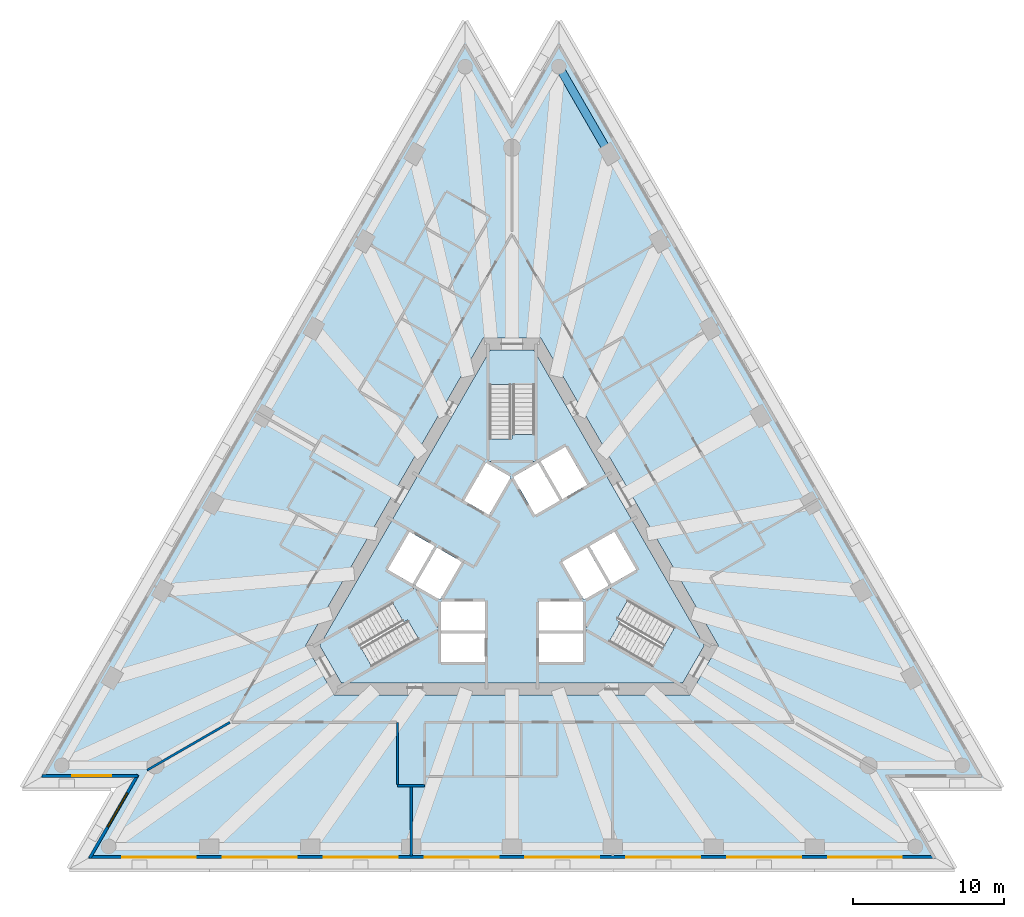
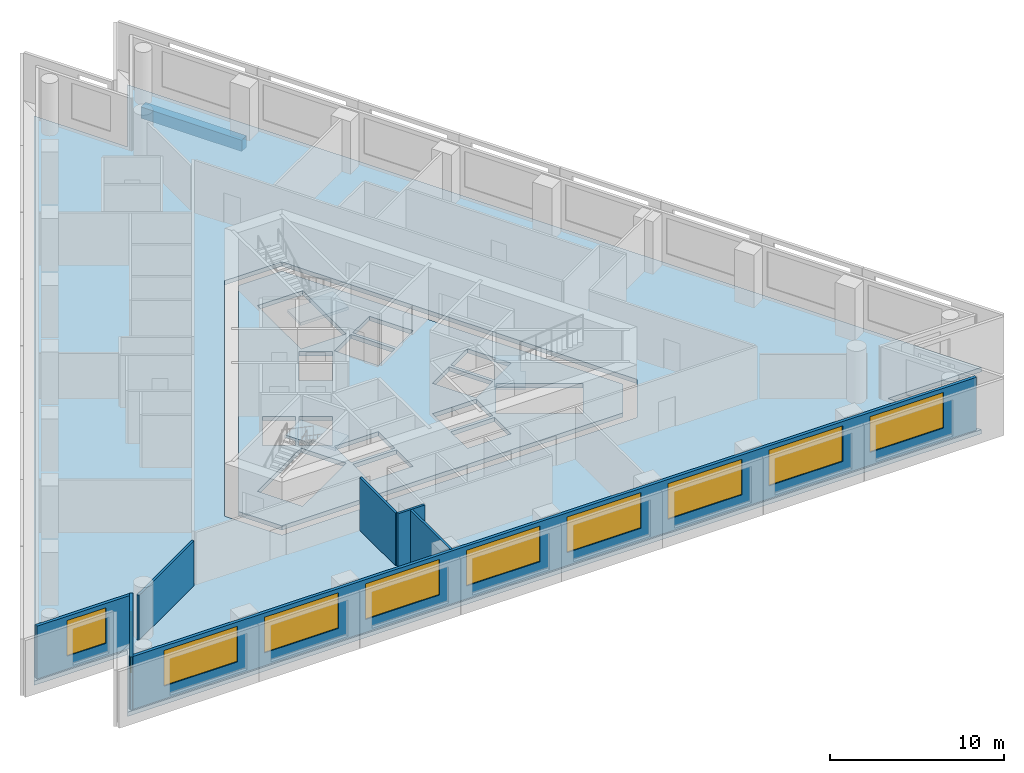
# One storey, part 2 of 9: 10 windows, 7 walls, 5 slabs, 1 beam, 10 openings, 3 elements without a shape of their own.
"""IFC4 building model written with IfcOpenShell, lengths in metres."""

from ifc_helpers import new_model, si_unit, direction, frame, frame_2d, origin, origin_2d, place, context, subcontext, project, spatial, polyline, rectangle, outline, extrude, material, layer, layer_set, layer_usage, material_profile, profile_set, type_object, element, fill, aggregate, save


model = new_model("IFC4")

# Units and contexts
model_context = context("Model", 3, precision=1e-05, world=origin(), true_north=direction((0.0, 1.0)))
body_context = subcontext(model_context, "Body", "Model", "MODEL_VIEW")
ifc_project = project(units=[si_unit("LENGTHUNIT", "METRE"), si_unit("AREAUNIT", "SQUARE_METRE"), si_unit("VOLUMEUNIT", "CUBIC_METRE"), si_unit("PLANEANGLEUNIT", "RADIAN"), si_unit("MASSUNIT", "GRAM", prefix="KILO")], contexts=[model_context])

# Site, building, storey
site_placement = place(None, origin())
site = spatial("IfcSite", under=ifc_project, at=site_placement, CompositionType="ELEMENT")
building_placement = place(site_placement, origin())
building = spatial("IfcBuilding", under=site, at=building_placement, Name="Triada Interchange Tower", CompositionType="ELEMENT")
storey_placement = place(building_placement, frame((0.0, 0.0, 144.300048828125)))
storey = spatial("IfcBuildingStorey", under=building, at=storey_placement, Name="L33", CompositionType="ELEMENT", Elevation=144.300048828125)

# Beam
ifc_material_1 = material(Name="Concrete C50/60", Category="concrete")
ifc_material_profile = material_profile(ifc_material_1, rectangle(XDim=0.550048828125, YDim=0.800048828125, at=origin_2d()), Name="RC 550x800")
ifc_profile_set = profile_set([ifc_material_profile], Name="Concrete C50/60")
beam_type = type_object("IfcBeamType", Name="Spandrel beam B RC 550x800", PredefinedType="BEAM", material=ifc_profile_set)
beam_placement = place(storey_placement, frame((6.452880859375, 26.89990234375, -0.699951171875), z_axis=(-0.499965681329, 0.866045216772, 0.0), x_axis=(-0.866045216772, -0.499965681329, 0.0)))
element("IfcBeam", 1, at=beam_placement, inside=storey, type_object=beam_type, Name="Spandrel beam EB28 L33", PredefinedType="BEAM", context=body_context, shape_type="SweptSolid", body=[
    extrude(rectangle(XDim=0.550048828125, YDim=0.800048828125, at=origin_2d()), origin(), (0.0, 0.0, 1.0), 6.6904296875),
])

# Slabs
ifc_layer_1 = layer(ifc_material_1, 0.300048828125)
ifc_layer_set_1 = layer_set([ifc_layer_1], Name="Floor slab 300")
slab_type_1 = type_object("IfcSlabType", Name="Floor slab 300", PredefinedType="FLOOR", material=ifc_layer_set_1)
slab_1_placement = place(storey_placement, frame((0.0, 0.0, -0.300048828125)))
element("IfcSlab", 2, at=slab_1_placement, inside=storey, type_object=slab_type_1, Name="Floor slab L33", PredefinedType="FLOOR", context=body_context, shape_type="SweptSolid", body=[
    extrude(outline(polyline([(-3.10791015625, 34.493896484375), (-31.427001953125, -14.554931640625), (-25.2109375, -14.554931640625), (-28.319091796875, -19.93896484375), (28.319091796875, -19.93896484375), (25.2109375, -14.554931640625), (31.427001953125, -14.554931640625), (3.10791015625, 34.493896484375), (0.0, 29.111083984375), (-3.10791015625, 34.493896484375)]), holes=[polyline([(1.905029296875, 14.699951171875), (-1.905029296875, 14.699951171875), (-13.68310546875, -5.699951171875), (-11.778076171875, -9.0), (11.778076171875, -9.0), (13.68310546875, -5.699951171875), (1.905029296875, 14.699951171875)])]), origin(), (0.0, 0.0, 1.0), 0.300048828125),
])
slab_2_placement = place(storey_placement, frame((0.0, 0.0, -0.300048828125)))
element("IfcSlab", 3, at=slab_2_placement, inside=storey, type_object=slab_type_1, Name="Core floor slab L33 1", PredefinedType="FLOOR", context=body_context, shape_type="SweptSolid", body=[
    extrude(outline(polyline([(12.759033203125, -5.699951171875), (11.31591796875, -8.199951171875), (-11.31591796875, -8.199951171875), (-12.759033203125, -5.699951171875), (-1.443115234375, 13.89990234375), (1.443115234375, 13.89990234375), (12.759033203125, -5.699951171875)]), holes=[polyline([(9.2958984375, -7.09912109375), (10.7958984375, -4.5009765625), (6.466064453125, -2.0009765625), (4.966064453125, -4.59912109375), (9.2958984375, -7.09912109375)]), polyline([(6.7890625, 1.841064453125), (5.14404296875, 0.89111328125), (6.593994140625, -1.6201171875), (8.239013671875, -0.669921875), (6.7890625, 1.841064453125)]), polyline([(4.77490234375, -2.669921875), (6.419921875, -1.719970703125), (4.969970703125, 0.791015625), (3.9150390625, 0.181884765625), (3.324951171875, -0.158935546875), (4.77490234375, -2.669921875)]), polyline([(1.89404296875, 6.52001953125), (3.343994140625, 4.009033203125), (4.989013671875, 4.958984375), (3.5390625, 7.469970703125), (1.89404296875, 6.52001953125)]), polyline([(4.699951171875, -6.800048828125), (4.699951171875, -4.89990234375), (1.800048828125, -4.89990234375), (1.800048828125, -6.800048828125), (4.699951171875, -6.800048828125)]), polyline([(4.699951171875, -2.800048828125), (1.800048828125, -2.800048828125), (1.800048828125, -4.699951171875), (4.699951171875, -4.699951171875), (4.699951171875, -2.800048828125)]), polyline([(0.074951171875, 5.469970703125), (1.52490234375, 2.958984375), (3.169921875, 3.908935546875), (1.719970703125, 6.419921875), (0.074951171875, 5.469970703125)]), polyline([(1.5, 11.60009765625), (-1.5, 11.60009765625), (-1.5, 6.60009765625), (1.5, 6.60009765625), (1.5, 11.60009765625)]), polyline([(-1.52490234375, 2.958984375), (-0.074951171875, 5.469970703125), (-1.719970703125, 6.419921875), (-3.169921875, 3.908935546875), (-1.52490234375, 2.958984375)]), polyline([(-1.800048828125, -2.800048828125), (-4.699951171875, -2.800048828125), (-4.699951171875, -4.699951171875), (-1.800048828125, -4.699951171875), (-1.800048828125, -2.800048828125)]), polyline([(-4.699951171875, -6.800048828125), (-1.800048828125, -6.800048828125), (-1.800048828125, -4.89990234375), (-4.699951171875, -4.89990234375), (-4.699951171875, -6.800048828125)]), polyline([(-4.77490234375, -2.669921875), (-3.324951171875, -0.158935546875), (-4.969970703125, 0.791015625), (-6.419921875, -1.719970703125), (-4.77490234375, -2.669921875)]), polyline([(-10.7958984375, -4.5009765625), (-9.2958984375, -7.09912109375), (-4.966064453125, -4.59912109375), (-6.466064453125, -2.0009765625), (-10.7958984375, -4.5009765625)]), polyline([(-6.593994140625, -1.6201171875), (-5.14404296875, 0.89111328125), (-6.7890625, 1.841064453125), (-8.239013671875, -0.669921875), (-6.593994140625, -1.6201171875)])]), origin(), (0.0, 0.0, 1.0), 0.300048828125),
])

# Stair, slab
ifc_material_2 = material(Name="Concrete C35/45", Category="concrete")
stair_type = type_object("IfcStairType", Name="HALF TURN STAIR 1400", PredefinedType="HALF_TURN_STAIR", material=ifc_material_2)
stair_1_placement = place(storey_placement, origin())
stair_1 = element("IfcStair", 4, at=stair_1_placement, inside=storey, type_object=stair_type, Name="Exit stair S32-1", PredefinedType="HALF_TURN_STAIR")
ifc_layer_2 = layer(ifc_material_2, 0.199951171875)
ifc_layer_set_2 = layer_set([ifc_layer_2], Name="STAIR LANDING 200")
slab_type_2 = type_object("IfcSlabType", Name="STAIR LANDING 200", PredefinedType="LANDING", material=ifc_layer_set_2)
slab_3_placement = place(storey_placement, frame((0.0, 0.0, 1.719970703125)))
slab_3 = element("IfcSlab", 5, at=slab_3_placement, type_object=slab_type_2, Name="S32-1 landing 1", PredefinedType="LANDING", context=body_context, shape_type="SweptSolid", body=[
    extrude(outline(polyline([(1.60009765625, 6.5), (1.60009765625, 8.300048828125), (0.0, 8.300048828125), (0.0, 8.0), (-1.60009765625, 8.0), (-1.60009765625, 6.5), (1.60009765625, 6.5)])), origin(), (0.0, 0.0, 1.0), 0.199951171875),
])
aggregate(stair_1, [slab_3])

stair_2_placement = place(storey_placement, origin())
stair_2 = element("IfcStair", 6, at=stair_2_placement, inside=storey, type_object=stair_type, Name="Exit stair S32-2", PredefinedType="HALF_TURN_STAIR")
slab_4_placement = place(storey_placement, frame((0.0, 0.0, 1.719970703125)))
slab_4 = element("IfcSlab", 7, at=slab_4_placement, type_object=slab_type_2, Name="S32-2 landing 1", PredefinedType="LANDING", context=body_context, shape_type="SweptSolid", body=[
    extrude(outline(polyline([(-6.428955078125, -1.864013671875), (-7.988037109375, -2.763916015625), (-7.18798828125, -4.14990234375), (-6.927978515625, -4.0), (-6.1279296875, -5.385986328125), (-4.8291015625, -4.635986328125), (-6.428955078125, -1.864013671875)])), origin(), (0.0, 0.0, 1.0), 0.199951171875),
])
aggregate(stair_2, [slab_4])

stair_3_placement = place(storey_placement, origin())
stair_3 = element("IfcStair", 8, at=stair_3_placement, inside=storey, type_object=stair_type, Name="Exit stair S32-3", PredefinedType="HALF_TURN_STAIR")
slab_5_placement = place(storey_placement, frame((0.0, 0.0, 1.719970703125)))
slab_5 = element("IfcSlab", 9, at=slab_5_placement, type_object=slab_type_2, Name="S32-3 landing 1", PredefinedType="LANDING", context=body_context, shape_type="SweptSolid", body=[
    extrude(outline(polyline([(4.8291015625, -4.635986328125), (6.387939453125, -5.535888671875), (7.18798828125, -4.14990234375), (6.927978515625, -4.0), (7.72802734375, -2.614013671875), (6.428955078125, -1.864013671875), (4.8291015625, -4.635986328125)])), origin(), (0.0, 0.0, 1.0), 0.199951171875),
])
aggregate(stair_3, [slab_5])

# Wall, opening, window
ifc_material_3 = material(Name="Cement board")
ifc_layer_3 = layer(ifc_material_3, 0.02001953125, Name="Cement board cladding")
ifc_material_4 = material(Name="Sheathing board")
ifc_layer_4 = layer(ifc_material_4, 0.014892578125, Name="Sheathing board")
ifc_material_5 = material(Name="Mineral wool")
ifc_layer_5 = layer(ifc_material_5, 0.14990234375, Name="Mineral wool between steel studs")
ifc_material_6 = material(Name="Gypsum board")
ifc_layer_6 = layer(ifc_material_6, 0.014892578125, Name="Plasterboard lining")
ifc_layer_set_3 = layer_set([ifc_layer_3, ifc_layer_4, ifc_layer_5, ifc_layer_6], Name="External wall 200")
ifc_layer_usage = layer_usage(ifc_layer_set_3, "AXIS2", "POSITIVE", -0.10009765625)
wall_type_1 = type_object("IfcWallType", Name="External wall 200", PredefinedType="ELEMENTEDWALL", material=ifc_layer_set_3)
wall_1_placement = place(storey_placement, frame((-31.1708984375, -14.35498046875, 0.0), z_axis=(0.0, 0.0, 1.0), x_axis=(1.0, 0.0, 0.0)))
wall_1 = element("IfcWall", 10, at=wall_1_placement, inside=storey, type_object=wall_type_1, material=ifc_layer_usage, Name="External wall L33 SW-1", PredefinedType="ELEMENTEDWALL", context=body_context, shape_type="SweptSolid", body=[
    extrude(rectangle(XDim=6.3759765625, YDim=0.199951171875, at=frame_2d((3.18798828125, 0.0))), origin(), (0.0, 0.0, 1.0), 3.699951171875),
])
opening_1_placement = place(wall_1_placement, frame((1.989990234375, 0.0, 0.89990234375)))
opening_1 = element("IfcOpeningElement", 11, at=opening_1_placement, cuts=wall_1, Name="Opening WB09", PredefinedType="OPENING", context=body_context, shape_type="SweptSolid", body=[
    extrude(rectangle(XDim=2.60009765625, YDim=2.5, at=frame_2d((1.300048828125, 1.25))), frame((0.0, 0.10986328125, 0.0), z_axis=(0.0, -1.0, 0.0), x_axis=(1.0, 0.0, 0.0)), (0.0, 0.0, 1.0), 0.219970703125),
])
ifc_material_7 = material(Name="Double glazed aluminium window", Category="aluminium")
window_type_1 = type_object("IfcWindowType", Name="Ribbon window B pocket", PartitioningType="SINGLE_PANEL", PredefinedType="WINDOW", material=ifc_material_7)
window_1_placement = place(opening_1_placement, origin())
window_1 = element("IfcWindow", 12, at=window_1_placement, inside=storey, type_object=window_type_1, Name="Window L33 SW-1 1", OverallHeight=2.5, OverallWidth=2.60009765625, PartitioningType="SINGLE_PANEL", PredefinedType="WINDOW", context=body_context, shape_type="SweptSolid", body=[
    extrude(rectangle(XDim=2.60009765625, YDim=2.5, at=frame_2d((1.300048828125, 1.25))), frame((0.0, 0.030029296875, 0.0), z_axis=(0.0, -1.0, 0.0), x_axis=(1.0, 0.0, 0.0)), (0.0, 0.0, 1.0), 0.06005859375),
])
fill(opening_1, window_1)

wall_2_placement = place(storey_placement, frame((-24.820068359375, -14.277099609375, 0.0), z_axis=(0.0, 0.0, 1.0), x_axis=(-0.499919089554, -0.866072112413, 0.0)))
wall_2 = element("IfcWall", 13, at=wall_2_placement, inside=storey, type_object=wall_type_1, material=ifc_layer_usage, Name="External wall L33 SW-2", PredefinedType="ELEMENTEDWALL", context=body_context, shape_type="SweptSolid", body=[
    extrude(rectangle(XDim=6.376953125, YDim=0.199951171875, at=frame_2d((3.1884765625, 0.0))), origin(), (0.0, 0.0, 1.0), 3.699951171875),
])
opening_2_placement = place(wall_2_placement, frame((1.389892578125, 0.0, 0.89990234375)))
opening_2 = element("IfcOpeningElement", 14, at=opening_2_placement, cuts=wall_2, Name="Opening WB10", PredefinedType="OPENING", context=body_context, shape_type="SweptSolid", body=[
    extrude(rectangle(XDim=2.60009765625, YDim=2.5, at=frame_2d((1.300048828125, 1.25))), frame((0.0, 0.10986328125, 0.0), z_axis=(0.0, -1.0, 0.0), x_axis=(1.0, 0.0, 0.0)), (0.0, 0.0, 1.0), 0.219970703125),
])
window_2_placement = place(opening_2_placement, origin())
window_2 = element("IfcWindow", 15, at=window_2_placement, inside=storey, type_object=window_type_1, Name="Window L33 SW-2 1", OverallHeight=2.5, OverallWidth=2.60009765625, PartitioningType="SINGLE_PANEL", PredefinedType="WINDOW", context=body_context, shape_type="SweptSolid", body=[
    extrude(rectangle(XDim=2.60009765625, YDim=2.5, at=frame_2d((1.300048828125, 1.25))), frame((0.0, 0.030029296875, 0.0), z_axis=(0.0, -1.0, 0.0), x_axis=(1.0, 0.0, 0.0)), (0.0, 0.0, 1.0), 0.06005859375),
])
fill(opening_2, window_2)

# Wall, openings, windows
wall_3_placement = place(storey_placement, frame((-28.06298828125, -19.739013671875, 0.0), z_axis=(0.0, 0.0, 1.0), x_axis=(1.0, 0.0, 0.0)))
wall_3 = element("IfcWall", 16, at=wall_3_placement, inside=storey, type_object=wall_type_1, material=ifc_layer_usage, Name="External wall L33 S", PredefinedType="ELEMENTEDWALL", context=body_context, shape_type="SweptSolid", body=[
    extrude(rectangle(XDim=56.10595703125, YDim=0.199951171875, at=frame_2d((28.052978515625, 0.0))), origin(), (0.0, 0.0, 1.0), 3.699951171875),
])
opening_3_placement = place(wall_3_placement, frame((2.197998046875, 0.0, 0.89990234375)))
opening_3 = element("IfcOpeningElement", 17, at=opening_3_placement, cuts=wall_3, Name="Opening WB11", PredefinedType="OPENING", context=body_context, shape_type="SweptSolid", body=[
    extrude(rectangle(XDim=4.89990234375, YDim=2.5, at=frame_2d((2.449951171875, 1.25))), frame((0.0, 0.10986328125, 0.0), z_axis=(0.0, -1.0, 0.0), x_axis=(1.0, 0.0, 0.0)), (0.0, 0.0, 1.0), 0.219970703125),
])
opening_4_placement = place(wall_3_placement, frame((8.887939453125, 0.0, 0.89990234375)))
opening_4 = element("IfcOpeningElement", 18, at=opening_4_placement, cuts=wall_3, Name="Opening WB12", PredefinedType="OPENING", context=body_context, shape_type="SweptSolid", body=[
    extrude(rectangle(XDim=4.89990234375, YDim=2.5, at=frame_2d((2.449951171875, 1.25))), frame((0.0, 0.10986328125, 0.0), z_axis=(0.0, -1.0, 0.0), x_axis=(1.0, 0.0, 0.0)), (0.0, 0.0, 1.0), 0.219970703125),
])
opening_5_placement = place(wall_3_placement, frame((15.577880859375, 0.0, 0.89990234375)))
opening_5 = element("IfcOpeningElement", 19, at=opening_5_placement, cuts=wall_3, Name="Opening WB13", PredefinedType="OPENING", context=body_context, shape_type="SweptSolid", body=[
    extrude(rectangle(XDim=4.89990234375, YDim=2.5, at=frame_2d((2.449951171875, 1.25))), frame((0.0, 0.10986328125, 0.0), z_axis=(0.0, -1.0, 0.0), x_axis=(1.0, 0.0, 0.0)), (0.0, 0.0, 1.0), 0.219970703125),
])
opening_6_placement = place(wall_3_placement, frame((22.26806640625, 0.0, 0.89990234375)))
opening_6 = element("IfcOpeningElement", 20, at=opening_6_placement, cuts=wall_3, Name="Opening WB14", PredefinedType="OPENING", context=body_context, shape_type="SweptSolid", body=[
    extrude(rectangle(XDim=4.89990234375, YDim=2.5, at=frame_2d((2.449951171875, 1.25))), frame((0.0, 0.10986328125, 0.0), z_axis=(0.0, -1.0, 0.0), x_axis=(1.0, 0.0, 0.0)), (0.0, 0.0, 1.0), 0.219970703125),
])
opening_7_placement = place(wall_3_placement, frame((28.9580078125, 0.0, 0.89990234375)))
opening_7 = element("IfcOpeningElement", 21, at=opening_7_placement, cuts=wall_3, Name="Opening WB15", PredefinedType="OPENING", context=body_context, shape_type="SweptSolid", body=[
    extrude(rectangle(XDim=4.89990234375, YDim=2.5, at=frame_2d((2.449951171875, 1.25))), frame((0.0, 0.10986328125, 0.0), z_axis=(0.0, -1.0, 0.0), x_axis=(1.0, 0.0, 0.0)), (0.0, 0.0, 1.0), 0.219970703125),
])
opening_8_placement = place(wall_3_placement, frame((35.64794921875, 0.0, 0.89990234375)))
opening_8 = element("IfcOpeningElement", 22, at=opening_8_placement, cuts=wall_3, Name="Opening WB16", PredefinedType="OPENING", context=body_context, shape_type="SweptSolid", body=[
    extrude(rectangle(XDim=4.89990234375, YDim=2.5, at=frame_2d((2.449951171875, 1.25))), frame((0.0, 0.10986328125, 0.0), z_axis=(0.0, -1.0, 0.0), x_axis=(1.0, 0.0, 0.0)), (0.0, 0.0, 1.0), 0.219970703125),
])
opening_9_placement = place(wall_3_placement, frame((42.337890625, 0.0, 0.89990234375)))
opening_9 = element("IfcOpeningElement", 23, at=opening_9_placement, cuts=wall_3, Name="Opening WB17", PredefinedType="OPENING", context=body_context, shape_type="SweptSolid", body=[
    extrude(rectangle(XDim=4.89990234375, YDim=2.5, at=frame_2d((2.449951171875, 1.25))), frame((0.0, 0.10986328125, 0.0), z_axis=(0.0, -1.0, 0.0), x_axis=(1.0, 0.0, 0.0)), (0.0, 0.0, 1.0), 0.219970703125),
])
opening_10_placement = place(wall_3_placement, frame((49.028076171875, 0.0, 0.89990234375)))
opening_10 = element("IfcOpeningElement", 24, at=opening_10_placement, cuts=wall_3, Name="Opening WB18", PredefinedType="OPENING", context=body_context, shape_type="SweptSolid", body=[
    extrude(rectangle(XDim=4.89990234375, YDim=2.5, at=frame_2d((2.449951171875, 1.25))), frame((0.0, 0.10986328125, 0.0), z_axis=(0.0, -1.0, 0.0), x_axis=(1.0, 0.0, 0.0)), (0.0, 0.0, 1.0), 0.219970703125),
])
window_type_2 = type_object("IfcWindowType", Name="Ribbon window B face", PartitioningType="SINGLE_PANEL", PredefinedType="WINDOW", material=ifc_material_7)
window_3_placement = place(opening_3_placement, origin())
window_3 = element("IfcWindow", 25, at=window_3_placement, inside=storey, type_object=window_type_2, Name="Window L33 S 1", OverallHeight=2.5, OverallWidth=4.89990234375, PartitioningType="SINGLE_PANEL", PredefinedType="WINDOW", context=body_context, shape_type="SweptSolid", body=[
    extrude(rectangle(XDim=4.89990234375, YDim=2.5, at=frame_2d((2.449951171875, 1.25))), frame((0.0, 0.030029296875, 0.0), z_axis=(0.0, -1.0, 0.0), x_axis=(1.0, 0.0, 0.0)), (0.0, 0.0, 1.0), 0.06005859375),
])
fill(opening_3, window_3)
window_4_placement = place(opening_4_placement, origin())
window_4 = element("IfcWindow", 26, at=window_4_placement, inside=storey, type_object=window_type_2, Name="Window L33 S 2", OverallHeight=2.5, OverallWidth=4.89990234375, PartitioningType="SINGLE_PANEL", PredefinedType="WINDOW", context=body_context, shape_type="SweptSolid", body=[
    extrude(rectangle(XDim=4.89990234375, YDim=2.5, at=frame_2d((2.449951171875, 1.25))), frame((0.0, 0.030029296875, 0.0), z_axis=(0.0, -1.0, 0.0), x_axis=(1.0, 0.0, 0.0)), (0.0, 0.0, 1.0), 0.06005859375),
])
fill(opening_4, window_4)
window_5_placement = place(opening_5_placement, origin())
window_5 = element("IfcWindow", 27, at=window_5_placement, inside=storey, type_object=window_type_2, Name="Window L33 S 3", OverallHeight=2.5, OverallWidth=4.89990234375, PartitioningType="SINGLE_PANEL", PredefinedType="WINDOW", context=body_context, shape_type="SweptSolid", body=[
    extrude(rectangle(XDim=4.89990234375, YDim=2.5, at=frame_2d((2.449951171875, 1.25))), frame((0.0, 0.030029296875, 0.0), z_axis=(0.0, -1.0, 0.0), x_axis=(1.0, 0.0, 0.0)), (0.0, 0.0, 1.0), 0.06005859375),
])
fill(opening_5, window_5)
window_6_placement = place(opening_6_placement, origin())
window_6 = element("IfcWindow", 28, at=window_6_placement, inside=storey, type_object=window_type_2, Name="Window L33 S 4", OverallHeight=2.5, OverallWidth=4.89990234375, PartitioningType="SINGLE_PANEL", PredefinedType="WINDOW", context=body_context, shape_type="SweptSolid", body=[
    extrude(rectangle(XDim=4.89990234375, YDim=2.5, at=frame_2d((2.449951171875, 1.25))), frame((0.0, 0.030029296875, 0.0), z_axis=(0.0, -1.0, 0.0), x_axis=(1.0, 0.0, 0.0)), (0.0, 0.0, 1.0), 0.06005859375),
])
fill(opening_6, window_6)
window_7_placement = place(opening_7_placement, origin())
window_7 = element("IfcWindow", 29, at=window_7_placement, inside=storey, type_object=window_type_2, Name="Window L33 S 5", OverallHeight=2.5, OverallWidth=4.89990234375, PartitioningType="SINGLE_PANEL", PredefinedType="WINDOW", context=body_context, shape_type="SweptSolid", body=[
    extrude(rectangle(XDim=4.89990234375, YDim=2.5, at=frame_2d((2.449951171875, 1.25))), frame((0.0, 0.030029296875, 0.0), z_axis=(0.0, -1.0, 0.0), x_axis=(1.0, 0.0, 0.0)), (0.0, 0.0, 1.0), 0.06005859375),
])
fill(opening_7, window_7)
window_8_placement = place(opening_8_placement, origin())
window_8 = element("IfcWindow", 30, at=window_8_placement, inside=storey, type_object=window_type_2, Name="Window L33 S 6", OverallHeight=2.5, OverallWidth=4.89990234375, PartitioningType="SINGLE_PANEL", PredefinedType="WINDOW", context=body_context, shape_type="SweptSolid", body=[
    extrude(rectangle(XDim=4.89990234375, YDim=2.5, at=frame_2d((2.449951171875, 1.25))), frame((0.0, 0.030029296875, 0.0), z_axis=(0.0, -1.0, 0.0), x_axis=(1.0, 0.0, 0.0)), (0.0, 0.0, 1.0), 0.06005859375),
])
fill(opening_8, window_8)
window_9_placement = place(opening_9_placement, origin())
window_9 = element("IfcWindow", 31, at=window_9_placement, inside=storey, type_object=window_type_2, Name="Window L33 S 7", OverallHeight=2.5, OverallWidth=4.89990234375, PartitioningType="SINGLE_PANEL", PredefinedType="WINDOW", context=body_context, shape_type="SweptSolid", body=[
    extrude(rectangle(XDim=4.89990234375, YDim=2.5, at=frame_2d((2.449951171875, 1.25))), frame((0.0, 0.030029296875, 0.0), z_axis=(0.0, -1.0, 0.0), x_axis=(1.0, 0.0, 0.0)), (0.0, 0.0, 1.0), 0.06005859375),
])
fill(opening_9, window_9)
window_10_placement = place(opening_10_placement, origin())
window_10 = element("IfcWindow", 32, at=window_10_placement, inside=storey, type_object=window_type_2, Name="Window L33 S 8", OverallHeight=2.5, OverallWidth=4.89990234375, PartitioningType="SINGLE_PANEL", PredefinedType="WINDOW", context=body_context, shape_type="SweptSolid", body=[
    extrude(rectangle(XDim=4.89990234375, YDim=2.5, at=frame_2d((2.449951171875, 1.25))), frame((0.0, 0.030029296875, 0.0), z_axis=(0.0, -1.0, 0.0), x_axis=(1.0, 0.0, 0.0)), (0.0, 0.0, 1.0), 0.06005859375),
])
fill(opening_10, window_10)

# Walls
ifc_material_8 = material(Name="Gypsum board partition")
ifc_layer_7 = layer(ifc_material_8, 0.14990234375)
ifc_layer_set_4 = layer_set([ifc_layer_7], Name="PARTITION 150 EI 180")
wall_type_2 = type_object("IfcWallType", Name="PARTITION 150 EI 180", PredefinedType="PARTITIONING", material=ifc_layer_set_4)
wall_4_placement = place(storey_placement, frame((-24.18896484375, -13.965087890625, 0.0), z_axis=(0.0, 0.0, 1.0), x_axis=(0.865994217434, 0.500054012454, 0.0)))
element("IfcWall", 33, at=wall_4_placement, inside=storey, type_object=wall_type_2, Name="Wall L32 1", PredefinedType="PARTITIONING", context=body_context, shape_type="SweptSolid", body=[
    extrude(rectangle(XDim=6.331298828125, YDim=0.14990234375, at=frame_2d((3.16552734375, 0.0))), origin(), (0.0, 0.0, 1.0), 3.14990234375),
])
wall_5_placement = place(storey_placement, frame((-7.590087890625, -15.0, 0.0), z_axis=(0.0, 0.0, 1.0), x_axis=(1.0, 0.0, 0.0)))
element("IfcWall", 34, at=wall_5_placement, inside=storey, type_object=wall_type_2, Name="Wall L32 3", PredefinedType="PARTITIONING", context=body_context, shape_type="SweptSolid", body=[
    extrude(rectangle(XDim=1.800048828125, YDim=0.14990234375, at=frame_2d((0.89990234375, 0.0))), origin(), (0.0, 0.0, 1.0), 3.699951171875),
])
wall_6_placement = place(storey_placement, frame((-7.590087890625, -14.925048828125, 0.0), z_axis=(0.0, 0.0, 1.0), x_axis=(0.0, 1.0, 0.0)))
element("IfcWall", 35, at=wall_6_placement, inside=storey, type_object=wall_type_2, Name="Wall L32 4", PredefinedType="PARTITIONING", context=body_context, shape_type="SweptSolid", body=[
    extrude(rectangle(XDim=4.1240234375, YDim=0.14990234375, at=frame_2d((2.06201171875, 0.0))), origin(), (0.0, 0.0, 1.0), 3.699951171875),
])
wall_7_placement = place(storey_placement, frame((-6.68994140625, -19.658935546875, 0.0), z_axis=(0.0, 0.0, 1.0), x_axis=(0.0, 1.0, 0.0)))
element("IfcWall", 36, at=wall_7_placement, inside=storey, type_object=wall_type_2, Name="Wall L32 23", PredefinedType="PARTITIONING", context=body_context, shape_type="SweptSolid", body=[
    extrude(rectangle(XDim=4.583984375, YDim=0.14990234375, at=frame_2d((2.2919921875, 0.0))), origin(), (0.0, 0.0, 1.0), 3.699951171875),
])

save(model, "model.ifc")
